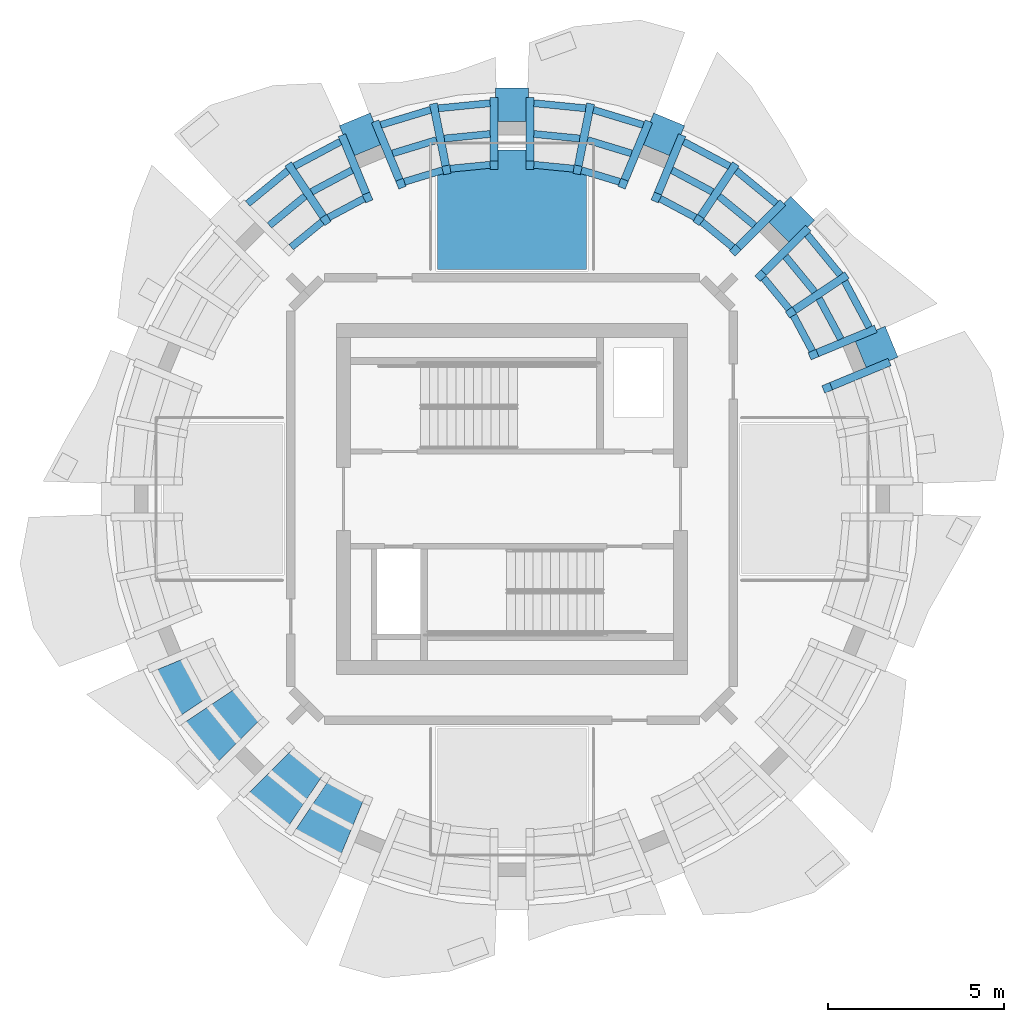
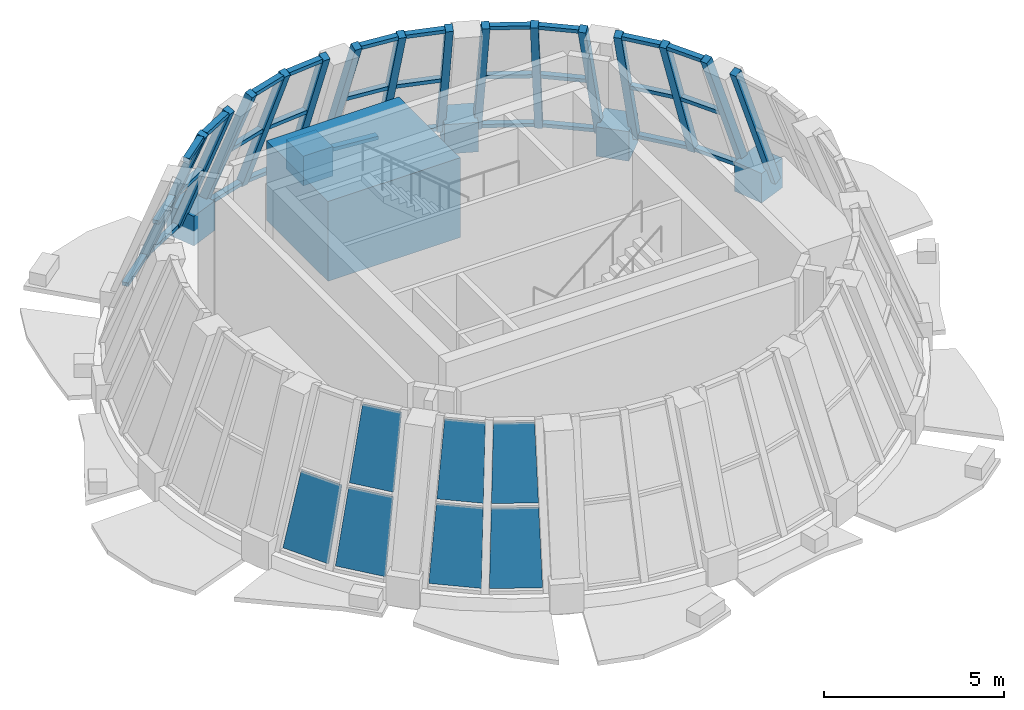
# One storey, part 3 of 9: 51 members, 7 plates, 8 elements without a shape of their own.
"""IFC4 building model written with IfcOpenShell, lengths in metres."""

from ifc_helpers import new_model, si_unit, direction, frame, origin, origin_2d, place, context, subcontext, project, spatial, polyline, rectangle, outline, extrude, material, layer, layer_set, material_profile, profile_set, type_object, element, aggregate, save


model = new_model("IFC4")

# Units and contexts
model_context = context("Model", 3, precision=1e-05, world=origin(), true_north=direction((0.0, 1.0)))
body_context = subcontext(model_context, "Body", "Model", "MODEL_VIEW")
ifc_project = project(units=[si_unit("LENGTHUNIT", "METRE"), si_unit("AREAUNIT", "SQUARE_METRE"), si_unit("VOLUMEUNIT", "CUBIC_METRE"), si_unit("PLANEANGLEUNIT", "RADIAN"), si_unit("MASSUNIT", "GRAM", prefix="KILO")], contexts=[model_context])

# Site, building, storey
site_placement = place(None, origin())
site = spatial("IfcSite", under=ifc_project, at=site_placement, CompositionType="ELEMENT")
building_placement = place(site_placement, origin())
building = spatial("IfcBuilding", under=site, at=building_placement, Name="Polderwave Tower", CompositionType="ELEMENT")
storey_placement = place(building_placement, frame((0.0, 0.0, 239.39990234375)))
storey = spatial("IfcBuildingStorey", under=building, at=storey_placement, Name="L65", CompositionType="ELEMENT", Elevation=239.39990234375)

# Curtain wall, member
ifc_material_1 = material(Name="Aluminium 6063-T6 and glass", Category="aluminium")
curtain_wall_type = type_object("IfcCurtainWallType", Name="Damper floor glazing wall", PredefinedType="NOTDEFINED", material=ifc_material_1)
curtain_wall_1_placement = place(storey_placement, origin())
curtain_wall_1 = element("IfcCurtainWall", 1, at=curtain_wall_1_placement, inside=storey, type_object=curtain_wall_type, Name="CROWN CW7 L65 00", PredefinedType="NOTDEFINED")
ifc_material_2 = material(Name="Aluminium 6063-T6", Category="aluminium")
ifc_material_profile_1 = material_profile(ifc_material_2, rectangle(XDim=0.22509765625, YDim=0.260009765625, at=origin_2d()), Name="AL 225x260")
ifc_profile_set_1 = profile_set([ifc_material_profile_1], Name="Aluminium 6063-T6")
member_type_1 = type_object("IfcMemberType", Name="Damper floor glazing mullion 225x260", PredefinedType="MULLION", material=ifc_profile_set_1)
member_1_placement = place(storey_placement, frame((10.6376953125, 3.852294921875, 0.0), z_axis=(-0.333523000512, -0.138168218944, 0.932562036223), x_axis=(0.382727098568, -0.923861444169, 0.0)))
member_1 = element("IfcMember", 2, at=member_1_placement, type_object=member_type_1, Name="CW7 mullion 3", PredefinedType="MULLION", context=body_context, shape_type="SweptSolid", body=[
    extrude(rectangle(XDim=0.22509765625, YDim=0.260009765625, at=origin_2d()), origin(), (0.0, 0.0, 1.0), 4.986328125),
])
aggregate(curtain_wall_1, [member_1])

# Curtain wall, members
curtain_wall_2_placement = place(storey_placement, origin())
curtain_wall_2 = element("IfcCurtainWall", 3, at=curtain_wall_2_placement, inside=storey, type_object=curtain_wall_type, Name="CROWN CW7 L65 01", PredefinedType="NOTDEFINED")
member_2_placement = place(storey_placement, frame((10.245849609375, 4.798095703125, 0.0), z_axis=(-0.333479484662, -0.138170475072, 0.932577263892), x_axis=(0.382775058439, -0.923841574425, 0.0)))
member_2 = element("IfcMember", 4, at=member_2_placement, type_object=member_type_1, Name="CW7 mullion 1", PredefinedType="MULLION", context=body_context, shape_type="SweptSolid", body=[
    extrude(rectangle(XDim=0.22509765625, YDim=0.260009765625, at=origin_2d()), origin(), (0.0, 0.0, 1.0), 4.986328125),
])
member_3_placement = place(storey_placement, frame((9.43896484375, 6.306884765625, 0.0), z_axis=(-0.300225275248, -0.200541866832, 0.93254905702), x_axis=(0.555451030829, -0.831549248302, 0.0)))
member_3 = element("IfcMember", 5, at=member_3_placement, type_object=member_type_1, Name="CW7 mullion 2", PredefinedType="MULLION", context=body_context, shape_type="SweptSolid", body=[
    extrude(rectangle(XDim=0.22509765625, YDim=0.260009765625, at=origin_2d()), origin(), (0.0, 0.0, 1.0), 4.986572265625),
])
member_4_placement = place(storey_placement, frame((8.353515625, 7.629150390625, 0.0), z_axis=(-0.255337109871, -0.255141261656, 0.932580236185), x_axis=(0.706835443234, -0.707378015058, 0.0)))
member_4 = element("IfcMember", 6, at=member_4_placement, type_object=member_type_1, Name="CW7 mullion 3", PredefinedType="MULLION", context=body_context, shape_type="SweptSolid", body=[
    extrude(rectangle(XDim=0.22509765625, YDim=0.260009765625, at=origin_2d()), origin(), (0.0, 0.0, 1.0), 4.986328125),
])

curtain_wall_3_placement = place(storey_placement, origin())
curtain_wall_3 = element("IfcCurtainWall", 7, at=curtain_wall_3_placement, inside=storey, type_object=curtain_wall_type, Name="CROWN CW7 L65 02", PredefinedType="NOTDEFINED")
member_5_placement = place(storey_placement, frame((7.629150390625, 8.353515625, 0.0), z_axis=(-0.255141261656, -0.255337109871, 0.932580236185), x_axis=(0.707378015058, -0.706835443234, 0.0)))
member_5 = element("IfcMember", 8, at=member_5_placement, type_object=member_type_1, Name="CW7 mullion 1", PredefinedType="MULLION", context=body_context, shape_type="SweptSolid", body=[
    extrude(rectangle(XDim=0.22509765625, YDim=0.260009765625, at=origin_2d()), origin(), (0.0, 0.0, 1.0), 4.986328125),
])
member_6_placement = place(storey_placement, frame((6.306884765625, 9.43896484375, 0.0), z_axis=(-0.200541866832, -0.300225275248, 0.93254905702), x_axis=(0.831549248302, -0.555451030829, 0.0)))
member_6 = element("IfcMember", 9, at=member_6_placement, type_object=member_type_1, Name="CW7 mullion 2", PredefinedType="MULLION", context=body_context, shape_type="SweptSolid", body=[
    extrude(rectangle(XDim=0.22509765625, YDim=0.260009765625, at=origin_2d()), origin(), (0.0, 0.0, 1.0), 4.986572265625),
])
member_7_placement = place(storey_placement, frame((4.798095703125, 10.245849609375, 0.0), z_axis=(-0.138170475072, -0.333479484662, 0.932577263892), x_axis=(0.923841574425, -0.382775058439, 0.0)))
member_7 = element("IfcMember", 10, at=member_7_placement, type_object=member_type_1, Name="CW7 mullion 3", PredefinedType="MULLION", context=body_context, shape_type="SweptSolid", body=[
    extrude(rectangle(XDim=0.22509765625, YDim=0.260009765625, at=origin_2d()), origin(), (0.0, 0.0, 1.0), 4.986328125),
])

curtain_wall_4_placement = place(storey_placement, origin())
curtain_wall_4 = element("IfcCurtainWall", 11, at=curtain_wall_4_placement, inside=storey, type_object=curtain_wall_type, Name="CROWN CW7 L65 03", PredefinedType="NOTDEFINED")
member_8_placement = place(storey_placement, frame((3.852294921875, 10.6376953125, 0.0), z_axis=(-0.138168218944, -0.333523000512, 0.932562036223), x_axis=(0.923861444169, -0.382727098568, 0.0)))
member_8 = element("IfcMember", 12, at=member_8_placement, type_object=member_type_1, Name="CW7 mullion 1", PredefinedType="MULLION", context=body_context, shape_type="SweptSolid", body=[
    extrude(rectangle(XDim=0.22509765625, YDim=0.260009765625, at=origin_2d()), origin(), (0.0, 0.0, 1.0), 4.986328125),
])
member_9_placement = place(storey_placement, frame((2.215087890625, 11.134033203125, 0.0), z_axis=(-0.070408277289, -0.353999892072, 0.932591416914), x_axis=(0.980788821134, -0.195072520718, 0.0)))
member_9 = element("IfcMember", 13, at=member_9_placement, type_object=member_type_1, Name="CW7 mullion 2", PredefinedType="MULLION", context=body_context, shape_type="SweptSolid", body=[
    extrude(rectangle(XDim=0.22509765625, YDim=0.260009765625, at=origin_2d()), origin(), (0.0, 0.0, 1.0), 4.986328125),
])
member_10_placement = place(storey_placement, frame((0.511962890625, 11.302001953125, 0.0), z_axis=(0.0, -0.360992728978, 0.932568629981), x_axis=(1.0, 0.0, 0.0)))
member_10 = element("IfcMember", 14, at=member_10_placement, type_object=member_type_1, Name="CW7 mullion 3", PredefinedType="MULLION", context=body_context, shape_type="SweptSolid", body=[
    extrude(rectangle(XDim=0.22509765625, YDim=0.260009765625, at=origin_2d()), origin(), (0.0, 0.0, 1.0), 4.986328125),
])

curtain_wall_5_placement = place(storey_placement, origin())
curtain_wall_5 = element("IfcCurtainWall", 15, at=curtain_wall_5_placement, inside=storey, type_object=curtain_wall_type, Name="CROWN CW7 L65 04", PredefinedType="NOTDEFINED")
member_11_placement = place(storey_placement, frame((-0.511962890625, 11.302001953125, 0.0), z_axis=(0.0, -0.360992728978, 0.932568629981), x_axis=(1.0, 0.0, 0.0)))
member_11 = element("IfcMember", 16, at=member_11_placement, type_object=member_type_1, Name="CW7 mullion 1", PredefinedType="MULLION", context=body_context, shape_type="SweptSolid", body=[
    extrude(rectangle(XDim=0.22509765625, YDim=0.260009765625, at=origin_2d()), origin(), (0.0, 0.0, 1.0), 4.986328125),
])
member_12_placement = place(storey_placement, frame((-2.215087890625, 11.134033203125, 0.0), z_axis=(0.070408277289, -0.353999892072, 0.932591416914), x_axis=(0.980788821134, 0.195072520718, 0.0)))
member_12 = element("IfcMember", 17, at=member_12_placement, type_object=member_type_1, Name="CW7 mullion 2", PredefinedType="MULLION", context=body_context, shape_type="SweptSolid", body=[
    extrude(rectangle(XDim=0.22509765625, YDim=0.260009765625, at=origin_2d()), origin(), (0.0, 0.0, 1.0), 4.986328125),
])
member_13_placement = place(storey_placement, frame((-3.852294921875, 10.6376953125, 0.0), z_axis=(0.138168218944, -0.333523000512, 0.932562036223), x_axis=(0.923861444169, 0.382727098568, 0.0)))
member_13 = element("IfcMember", 18, at=member_13_placement, type_object=member_type_1, Name="CW7 mullion 3", PredefinedType="MULLION", context=body_context, shape_type="SweptSolid", body=[
    extrude(rectangle(XDim=0.22509765625, YDim=0.260009765625, at=origin_2d()), origin(), (0.0, 0.0, 1.0), 4.986328125),
])

curtain_wall_6_placement = place(storey_placement, origin())
curtain_wall_6 = element("IfcCurtainWall", 19, at=curtain_wall_6_placement, inside=storey, type_object=curtain_wall_type, Name="CROWN CW7 L65 05", PredefinedType="NOTDEFINED")
member_14_placement = place(storey_placement, frame((-4.798095703125, 10.245849609375, 0.0), z_axis=(0.138170475072, -0.333479484662, 0.932577263892), x_axis=(0.923841574425, 0.382775058439, 0.0)))
member_14 = element("IfcMember", 20, at=member_14_placement, type_object=member_type_1, Name="CW7 mullion 1", PredefinedType="MULLION", context=body_context, shape_type="SweptSolid", body=[
    extrude(rectangle(XDim=0.22509765625, YDim=0.260009765625, at=origin_2d()), origin(), (0.0, 0.0, 1.0), 4.986328125),
])
member_15_placement = place(storey_placement, frame((-6.306884765625, 9.43896484375, 0.0), z_axis=(0.200541866832, -0.300225275248, 0.93254905702), x_axis=(0.831549248302, 0.555451030829, 0.0)))
member_15 = element("IfcMember", 21, at=member_15_placement, type_object=member_type_1, Name="CW7 mullion 2", PredefinedType="MULLION", context=body_context, shape_type="SweptSolid", body=[
    extrude(rectangle(XDim=0.22509765625, YDim=0.260009765625, at=origin_2d()), origin(), (0.0, 0.0, 1.0), 4.986572265625),
])

# Member
ifc_material_profile_2 = material_profile(ifc_material_2, rectangle(XDim=0.199951171875, YDim=0.1201171875, at=origin_2d()), Name="AL 120x200")
ifc_profile_set_2 = profile_set([ifc_material_profile_2], Name="Aluminium 6063-T6")
member_type_2 = type_object("IfcMemberType", Name="Damper floor glazing transom 120x200", PredefinedType="USERDEFINED", material=ifc_profile_set_2)
member_16_placement = place(storey_placement, frame((10.17138671875, 4.888427734375, 0.06005859375), z_axis=(-0.471631391482, 0.881795798679, 0.0), x_axis=(-0.881795798679, -0.471631391482, 0.0)))
member_16 = element("IfcMember", 22, at=member_16_placement, type_object=member_type_2, Name="CW7 transom 1", ObjectType="TRANSOM", PredefinedType="USERDEFINED", context=body_context, shape_type="SweptSolid", body=[
    extrude(rectangle(XDim=0.199951171875, YDim=0.1201171875, at=origin_2d()), origin(), (0.0, 0.0, 1.0), 1.4814453125),
])

member_17_placement = place(storey_placement, frame((9.361328125, 4.552978515625, 2.3251953125), z_axis=(-0.471652250337, 0.881784641935, 0.0), x_axis=(-0.881784641935, -0.471652250337, 0.0)))
member_17 = element("IfcMember", 23, at=member_17_placement, type_object=member_type_2, Name="CW7 transom 2", ObjectType="TRANSOM", PredefinedType="USERDEFINED", context=body_context, shape_type="SweptSolid", body=[
    extrude(rectangle(XDim=0.199951171875, YDim=0.1201171875, at=origin_2d()), origin(), (0.0, 0.0, 1.0), 1.3095703125),
])

member_18_placement = place(storey_placement, frame((8.55126953125, 4.21728515625, 4.590087890625), z_axis=(-0.47175698723, 0.881728611876, 0.0), x_axis=(-0.881728611876, -0.47175698723, 0.0)))
member_18 = element("IfcMember", 24, at=member_18_placement, type_object=member_type_2, Name="CW7 transom 3", ObjectType="TRANSOM", PredefinedType="USERDEFINED", context=body_context, shape_type="SweptSolid", body=[
    extrude(rectangle(XDim=0.199951171875, YDim=0.1201171875, at=origin_2d()), origin(), (0.0, 0.0, 1.0), 1.137939453125),
])

member_19_placement = place(storey_placement, frame((9.348388671875, 6.381103515625, 0.06005859375), z_axis=(-0.634655050838, 0.772795552812, 0.0), x_axis=(-0.772795552812, -0.634655050838, 0.0)))
member_19 = element("IfcMember", 25, at=member_19_placement, type_object=member_type_2, Name="CW7 transom 4", ObjectType="TRANSOM", PredefinedType="USERDEFINED", context=body_context, shape_type="SweptSolid", body=[
    extrude(rectangle(XDim=0.199951171875, YDim=0.1201171875, at=origin_2d()), origin(), (0.0, 0.0, 1.0), 1.48095703125),
])

member_20_placement = place(storey_placement, frame((8.619140625, 5.893798828125, 2.3251953125), z_axis=(-0.634445167529, 0.772967870871, 0.0), x_axis=(-0.772967870871, -0.634445167529, 0.0)))
member_20 = element("IfcMember", 26, at=member_20_placement, type_object=member_type_2, Name="CW7 transom 5", ObjectType="TRANSOM", PredefinedType="USERDEFINED", context=body_context, shape_type="SweptSolid", body=[
    extrude(rectangle(XDim=0.199951171875, YDim=0.1201171875, at=origin_2d()), origin(), (0.0, 0.0, 1.0), 1.3095703125),
])

member_21_placement = place(storey_placement, frame((7.889892578125, 5.40673828125, 4.590087890625), z_axis=(-0.634171946025, 0.77319204786, 0.0), x_axis=(-0.77319204786, -0.634171946025, 0.0)))
member_21 = element("IfcMember", 27, at=member_21_placement, type_object=member_type_2, Name="CW7 transom 6", ObjectType="TRANSOM", PredefinedType="USERDEFINED", context=body_context, shape_type="SweptSolid", body=[
    extrude(rectangle(XDim=0.199951171875, YDim=0.1201171875, at=origin_2d()), origin(), (0.0, 0.0, 1.0), 1.137939453125),
])

aggregate(curtain_wall_2, [member_2, member_3, member_4, member_16, member_17, member_18, member_19, member_20, member_21])

member_22_placement = place(storey_placement, frame((7.525634765625, 8.408447265625, 0.06005859375), z_axis=(-0.772795552812, 0.634655050838, 0.0), x_axis=(-0.634655050838, -0.772795552812, 0.0)))
member_22 = element("IfcMember", 28, at=member_22_placement, type_object=member_type_2, Name="CW7 transom 1", ObjectType="TRANSOM", PredefinedType="USERDEFINED", context=body_context, shape_type="SweptSolid", body=[
    extrude(rectangle(XDim=0.199951171875, YDim=0.1201171875, at=origin_2d()), origin(), (0.0, 0.0, 1.0), 1.48095703125),
])

member_23_placement = place(storey_placement, frame((6.906005859375, 7.788330078125, 2.3251953125), z_axis=(-0.772967870871, 0.634445167529, 0.0), x_axis=(-0.634445167529, -0.772967870871, 0.0)))
member_23 = element("IfcMember", 29, at=member_23_placement, type_object=member_type_2, Name="CW7 transom 2", ObjectType="TRANSOM", PredefinedType="USERDEFINED", context=body_context, shape_type="SweptSolid", body=[
    extrude(rectangle(XDim=0.199951171875, YDim=0.1201171875, at=origin_2d()), origin(), (0.0, 0.0, 1.0), 1.3095703125),
])

member_24_placement = place(storey_placement, frame((6.28662109375, 7.168212890625, 4.590087890625), z_axis=(-0.77319204786, 0.634171946025, 0.0), x_axis=(-0.634171946025, -0.77319204786, 0.0)))
member_24 = element("IfcMember", 30, at=member_24_placement, type_object=member_type_2, Name="CW7 transom 3", ObjectType="TRANSOM", PredefinedType="USERDEFINED", context=body_context, shape_type="SweptSolid", body=[
    extrude(rectangle(XDim=0.199951171875, YDim=0.1201171875, at=origin_2d()), origin(), (0.0, 0.0, 1.0), 1.137939453125),
])

member_25_placement = place(storey_placement, frame((6.19482421875, 9.47265625, 0.06005859375), z_axis=(-0.881795798679, 0.471631391482, 0.0), x_axis=(-0.471631391482, -0.881795798679, 0.0)))
member_25 = element("IfcMember", 31, at=member_25_placement, type_object=member_type_2, Name="CW7 transom 4", ObjectType="TRANSOM", PredefinedType="USERDEFINED", context=body_context, shape_type="SweptSolid", body=[
    extrude(rectangle(XDim=0.199951171875, YDim=0.1201171875, at=origin_2d()), origin(), (0.0, 0.0, 1.0), 1.4814453125),
])

member_26_placement = place(storey_placement, frame((5.707763671875, 8.74365234375, 2.3251953125), z_axis=(-0.881784641935, 0.471652250337, 0.0), x_axis=(-0.471652250337, -0.881784641935, 0.0)))
member_26 = element("IfcMember", 32, at=member_26_placement, type_object=member_type_2, Name="CW7 transom 5", ObjectType="TRANSOM", PredefinedType="USERDEFINED", context=body_context, shape_type="SweptSolid", body=[
    extrude(rectangle(XDim=0.199951171875, YDim=0.1201171875, at=origin_2d()), origin(), (0.0, 0.0, 1.0), 1.3095703125),
])

member_27_placement = place(storey_placement, frame((5.220703125, 8.014404296875, 4.590087890625), z_axis=(-0.881728611876, 0.47175698723, 0.0), x_axis=(-0.47175698723, -0.881728611876, 0.0)))
member_27 = element("IfcMember", 33, at=member_27_placement, type_object=member_type_2, Name="CW7 transom 6", ObjectType="TRANSOM", PredefinedType="USERDEFINED", context=body_context, shape_type="SweptSolid", body=[
    extrude(rectangle(XDim=0.199951171875, YDim=0.1201171875, at=origin_2d()), origin(), (0.0, 0.0, 1.0), 1.137939453125),
])

aggregate(curtain_wall_3, [member_5, member_6, member_7, member_22, member_23, member_24, member_25, member_26, member_27])

member_28_placement = place(storey_placement, frame((3.73583984375, 10.648681640625, 0.06005859375), z_axis=(-0.956964786356, 0.290204062127, 0.0), x_axis=(-0.290204062127, -0.956964786356, 0.0)))
member_28 = element("IfcMember", 34, at=member_28_placement, type_object=member_type_2, Name="CW7 transom 1", ObjectType="TRANSOM", PredefinedType="USERDEFINED", context=body_context, shape_type="SweptSolid", body=[
    extrude(rectangle(XDim=0.199951171875, YDim=0.1201171875, at=origin_2d()), origin(), (0.0, 0.0, 1.0), 1.4814453125),
])

member_29_placement = place(storey_placement, frame((3.400146484375, 9.8388671875, 2.3251953125), z_axis=(-0.956928690047, 0.290323065161, 0.0), x_axis=(-0.290323065161, -0.956928690047, 0.0)))
member_29 = element("IfcMember", 35, at=member_29_placement, type_object=member_type_2, Name="CW7 transom 2", ObjectType="TRANSOM", PredefinedType="USERDEFINED", context=body_context, shape_type="SweptSolid", body=[
    extrude(rectangle(XDim=0.199951171875, YDim=0.1201171875, at=origin_2d()), origin(), (0.0, 0.0, 1.0), 1.309326171875),
])

member_30_placement = place(storey_placement, frame((3.064697265625, 9.02880859375, 4.590087890625), z_axis=(-0.956899751847, 0.290418430742, 0.0), x_axis=(-0.290418430742, -0.956899751847, 0.0)))
member_30 = element("IfcMember", 36, at=member_30_placement, type_object=member_type_2, Name="CW7 transom 3", ObjectType="TRANSOM", PredefinedType="USERDEFINED", context=body_context, shape_type="SweptSolid", body=[
    extrude(rectangle(XDim=0.199951171875, YDim=0.1201171875, at=origin_2d()), origin(), (0.0, 0.0, 1.0), 1.137451171875),
])

member_31_placement = place(storey_placement, frame((2.098388671875, 11.122314453125, 0.06005859375), z_axis=(-0.995182927659, 0.098035404298, 0.0), x_axis=(-0.098035404298, -0.995182927659, 0.0)))
member_31 = element("IfcMember", 37, at=member_31_placement, type_object=member_type_2, Name="CW7 transom 4", ObjectType="TRANSOM", PredefinedType="USERDEFINED", context=body_context, shape_type="SweptSolid", body=[
    extrude(rectangle(XDim=0.199951171875, YDim=0.1201171875, at=origin_2d()), origin(), (0.0, 0.0, 1.0), 1.481689453125),
])

member_32_placement = place(storey_placement, frame((1.927490234375, 10.262451171875, 2.3251953125), z_axis=(-0.995183710307, 0.098027459105, 0.0), x_axis=(-0.098027459105, -0.995183710307, 0.0)))
member_32 = element("IfcMember", 38, at=member_32_placement, type_object=member_type_2, Name="CW7 transom 5", ObjectType="TRANSOM", PredefinedType="USERDEFINED", context=body_context, shape_type="SweptSolid", body=[
    extrude(rectangle(XDim=0.199951171875, YDim=0.1201171875, at=origin_2d()), origin(), (0.0, 0.0, 1.0), 1.31005859375),
])

member_33_placement = place(storey_placement, frame((1.756591796875, 9.40283203125, 4.590087890625), z_axis=(-0.995205628204, 0.097804691048, 0.0), x_axis=(-0.097804691048, -0.995205628204, 0.0)))
member_33 = element("IfcMember", 39, at=member_33_placement, type_object=member_type_2, Name="CW7 transom 6", ObjectType="TRANSOM", PredefinedType="USERDEFINED", context=body_context, shape_type="SweptSolid", body=[
    extrude(rectangle(XDim=0.199951171875, YDim=0.1201171875, at=origin_2d()), origin(), (0.0, 0.0, 1.0), 1.13818359375),
])

aggregate(curtain_wall_4, [member_8, member_9, member_10, member_28, member_29, member_30, member_31, member_32, member_33])

member_34_placement = place(storey_placement, frame((-0.623779296875, 11.267578125, 0.06005859375), z_axis=(-0.995182927659, -0.098035404298, 0.0), x_axis=(0.098035404298, -0.995182927659, 0.0)))
member_34 = element("IfcMember", 40, at=member_34_placement, type_object=member_type_2, Name="CW7 transom 1", ObjectType="TRANSOM", PredefinedType="USERDEFINED", context=body_context, shape_type="SweptSolid", body=[
    extrude(rectangle(XDim=0.199951171875, YDim=0.1201171875, at=origin_2d()), origin(), (0.0, 0.0, 1.0), 1.481689453125),
])

member_35_placement = place(storey_placement, frame((-0.623779296875, 10.390869140625, 2.3251953125), z_axis=(-0.995183710307, -0.098027459105, 0.0), x_axis=(0.098027459105, -0.995183710307, 0.0)))
member_35 = element("IfcMember", 41, at=member_35_placement, type_object=member_type_2, Name="CW7 transom 2", ObjectType="TRANSOM", PredefinedType="USERDEFINED", context=body_context, shape_type="SweptSolid", body=[
    extrude(rectangle(XDim=0.199951171875, YDim=0.1201171875, at=origin_2d()), origin(), (0.0, 0.0, 1.0), 1.31005859375),
])

member_36_placement = place(storey_placement, frame((-0.623779296875, 9.51416015625, 4.590087890625), z_axis=(-0.995205628204, -0.097804691048, 0.0), x_axis=(0.097804691048, -0.995205628204, 0.0)))
member_36 = element("IfcMember", 42, at=member_36_placement, type_object=member_type_2, Name="CW7 transom 3", ObjectType="TRANSOM", PredefinedType="USERDEFINED", context=body_context, shape_type="SweptSolid", body=[
    extrude(rectangle(XDim=0.199951171875, YDim=0.1201171875, at=origin_2d()), origin(), (0.0, 0.0, 1.0), 1.13818359375),
])

member_37_placement = place(storey_placement, frame((-2.318115234375, 11.07861328125, 0.06005859375), z_axis=(-0.956964786356, -0.290204062127, 0.0), x_axis=(0.290204062127, -0.956964786356, 0.0)))
member_37 = element("IfcMember", 43, at=member_37_placement, type_object=member_type_2, Name="CW7 transom 4", ObjectType="TRANSOM", PredefinedType="USERDEFINED", context=body_context, shape_type="SweptSolid", body=[
    extrude(rectangle(XDim=0.199951171875, YDim=0.1201171875, at=origin_2d()), origin(), (0.0, 0.0, 1.0), 1.4814453125),
])

member_38_placement = place(storey_placement, frame((-2.147216796875, 10.218994140625, 2.3251953125), z_axis=(-0.956928690047, -0.290323065161, 0.0), x_axis=(0.290323065161, -0.956928690047, 0.0)))
member_38 = element("IfcMember", 44, at=member_38_placement, type_object=member_type_2, Name="CW7 transom 5", ObjectType="TRANSOM", PredefinedType="USERDEFINED", context=body_context, shape_type="SweptSolid", body=[
    extrude(rectangle(XDim=0.199951171875, YDim=0.1201171875, at=origin_2d()), origin(), (0.0, 0.0, 1.0), 1.309326171875),
])

member_39_placement = place(storey_placement, frame((-1.976318359375, 9.359130859375, 4.590087890625), z_axis=(-0.956899751847, -0.290418430742, 0.0), x_axis=(0.290418430742, -0.956899751847, 0.0)))
member_39 = element("IfcMember", 45, at=member_39_placement, type_object=member_type_2, Name="CW7 transom 6", ObjectType="TRANSOM", PredefinedType="USERDEFINED", context=body_context, shape_type="SweptSolid", body=[
    extrude(rectangle(XDim=0.199951171875, YDim=0.1201171875, at=origin_2d()), origin(), (0.0, 0.0, 1.0), 1.137451171875),
])

aggregate(curtain_wall_5, [member_11, member_12, member_13, member_34, member_35, member_36, member_37, member_38, member_39])

member_40_placement = place(storey_placement, frame((-4.888427734375, 10.17138671875, 0.06005859375), z_axis=(-0.881795798679, -0.471631391482, 0.0), x_axis=(0.471631391482, -0.881795798679, 0.0)))
member_40 = element("IfcMember", 46, at=member_40_placement, type_object=member_type_2, Name="CW7 transom 1", ObjectType="TRANSOM", PredefinedType="USERDEFINED", context=body_context, shape_type="SweptSolid", body=[
    extrude(rectangle(XDim=0.199951171875, YDim=0.1201171875, at=origin_2d()), origin(), (0.0, 0.0, 1.0), 1.4814453125),
])

member_41_placement = place(storey_placement, frame((-4.552978515625, 9.361328125, 2.3251953125), z_axis=(-0.881784641935, -0.471652250337, 0.0), x_axis=(0.471652250337, -0.881784641935, 0.0)))
member_41 = element("IfcMember", 47, at=member_41_placement, type_object=member_type_2, Name="CW7 transom 2", ObjectType="TRANSOM", PredefinedType="USERDEFINED", context=body_context, shape_type="SweptSolid", body=[
    extrude(rectangle(XDim=0.199951171875, YDim=0.1201171875, at=origin_2d()), origin(), (0.0, 0.0, 1.0), 1.3095703125),
])

member_42_placement = place(storey_placement, frame((-4.21728515625, 8.55126953125, 4.590087890625), z_axis=(-0.881728611876, -0.47175698723, 0.0), x_axis=(0.47175698723, -0.881728611876, 0.0)))
member_42 = element("IfcMember", 48, at=member_42_placement, type_object=member_type_2, Name="CW7 transom 3", ObjectType="TRANSOM", PredefinedType="USERDEFINED", context=body_context, shape_type="SweptSolid", body=[
    extrude(rectangle(XDim=0.199951171875, YDim=0.1201171875, at=origin_2d()), origin(), (0.0, 0.0, 1.0), 1.137939453125),
])

member_43_placement = place(storey_placement, frame((-6.381103515625, 9.348388671875, 0.06005859375), z_axis=(-0.772795552812, -0.634655050838, 0.0), x_axis=(0.634655050838, -0.772795552812, 0.0)))
member_43 = element("IfcMember", 49, at=member_43_placement, type_object=member_type_2, Name="CW7 transom 4", ObjectType="TRANSOM", PredefinedType="USERDEFINED", context=body_context, shape_type="SweptSolid", body=[
    extrude(rectangle(XDim=0.199951171875, YDim=0.1201171875, at=origin_2d()), origin(), (0.0, 0.0, 1.0), 1.48095703125),
])

member_44_placement = place(storey_placement, frame((-5.893798828125, 8.619140625, 2.3251953125), z_axis=(-0.772967870871, -0.634445167529, 0.0), x_axis=(0.634445167529, -0.772967870871, 0.0)))
member_44 = element("IfcMember", 50, at=member_44_placement, type_object=member_type_2, Name="CW7 transom 5", ObjectType="TRANSOM", PredefinedType="USERDEFINED", context=body_context, shape_type="SweptSolid", body=[
    extrude(rectangle(XDim=0.199951171875, YDim=0.1201171875, at=origin_2d()), origin(), (0.0, 0.0, 1.0), 1.3095703125),
])

member_45_placement = place(storey_placement, frame((-5.40673828125, 7.889892578125, 4.590087890625), z_axis=(-0.77319204786, -0.634171946025, 0.0), x_axis=(0.634171946025, -0.77319204786, 0.0)))
member_45 = element("IfcMember", 51, at=member_45_placement, type_object=member_type_2, Name="CW7 transom 6", ObjectType="TRANSOM", PredefinedType="USERDEFINED", context=body_context, shape_type="SweptSolid", body=[
    extrude(rectangle(XDim=0.199951171875, YDim=0.1201171875, at=origin_2d()), origin(), (0.0, 0.0, 1.0), 1.137939453125),
])

aggregate(curtain_wall_6, [member_14, member_15, member_40, member_41, member_42, member_43, member_44, member_45])

# Members
ifc_material_3 = material(Name="Steel S355", Category="steel")
ifc_material_profile_3 = material_profile(ifc_material_3, rectangle(XDim=3.39990234375, YDim=4.2353515625, at=origin_2d()), Name="Steel block 3400x4235")
ifc_profile_set_3 = profile_set([ifc_material_profile_3], Name="Steel S355")
member_type_3 = type_object("IfcMemberType", Name="Damper mass block 3400 x 4235", PredefinedType="MEMBER", material=ifc_profile_set_3)
member_46_placement = place(storey_placement, frame((0.0, 8.235107421875, -0.599853515625), z_axis=(0.0, 0.0, 1.0), x_axis=(0.0, 1.0, 0.0)))
element("IfcMember", 52, at=member_46_placement, inside=storey, type_object=member_type_3, Name="Tuned mass damper block 2", PredefinedType="MEMBER", context=body_context, shape_type="SweptSolid", body=[
    extrude(rectangle(XDim=3.39990234375, YDim=4.2353515625, at=origin_2d()), origin(), (0.0, 0.0, 1.0), 2.699951171875),
])
ifc_material_4 = material(Name="Concrete C60/75", Category="concrete")
ifc_material_profile_4 = material_profile(ifc_material_4, rectangle(XDim=0.949951171875, YDim=0.949951171875, at=origin_2d()), Name="RC 950x950")
ifc_profile_set_4 = profile_set([ifc_material_profile_4], Name="Concrete C60/75")
member_type_4 = type_object("IfcMemberType", Name="RC NODE 950x950 C60/75", PredefinedType="POST", material=ifc_profile_set_4)
for number, where, z_axis, x_axis, name in (
    (53, (10.3681640625, 4.294677734375, -0.5), (0.0, 0.0, 1.0), (0.923879532511, 0.382683432365, 0.0), "Ring column node 02"),
    (54, (7.935546875, 7.935546875, -0.5), (0.0, 0.0, 1.0), (0.707106781187, 0.707106781187, 0.0), "Ring column node 03"),
    (55, (4.294677734375, 10.3681640625, -0.5), (0.0, 0.0, 1.0), (0.382683432365, 0.923879532511, 0.0), "Ring column node 04"),
    (56, (0.0, 11.222412109375, -0.5), (0.0, 0.0, 1.0), (0.0, 1.0, 0.0), "Ring column node 05"),
    (57, (-4.294677734375, 10.3681640625, -0.5), (0.0, 0.0, 1.0), (-0.382683432365, 0.923879532511, 0.0), "Ring column node 06"),
):
    element("IfcMember", number, at=place(storey_placement, frame(where, z_axis=z_axis, x_axis=x_axis)), inside=storey, type_object=member_type_4, Name=name, PredefinedType="POST", context=body_context, shape_type="SweptSolid", body=[
        extrude(rectangle(XDim=0.949951171875, YDim=0.949951171875, at=origin_2d()), origin(), (0.0, 0.0, 1.0), 1.0),
    ])

# Curtain wall, plates
curtain_wall_7_placement = place(storey_placement, origin())
curtain_wall_7 = element("IfcCurtainWall", 58, at=curtain_wall_7_placement, inside=storey, type_object=curtain_wall_type, Name="CROWN CW7 L65 09", PredefinedType="NOTDEFINED")
ifc_material_5 = material(Name="Glass, low-e laminated double glazing", Category="glass")
ifc_layer = layer(ifc_material_5, 0.052001953125)
ifc_layer_set = layer_set([ifc_layer], Name="Damper floor glazing glass panel 52 mm")
plate_type = type_object("IfcPlateType", Name="Damper floor glazing glass panel 52 mm", PredefinedType="CURTAIN_PANEL", material=ifc_layer_set)
plate_1_placement = place(storey_placement, frame((-10.14990234375, -4.879638671875, 0.1201171875), z_axis=(-0.822845232228, -0.440113232038, 0.359480273152), x_axis=(0.471641450422, -0.881790418548, 8.0036e-07)))
plate_1 = element("IfcPlate", 59, at=plate_1_placement, type_object=plate_type, Name="CROWN CW7 panel 1", PredefinedType="CURTAIN_PANEL", context=body_context, shape_type="SweptSolid", body=[
    extrude(outline(polyline([(0.0, 0.0), (1.4768220582493665, 2.7755575615628914e-17), (1.3957934823509304, 2.2986789289398257), (0.08149739849615097, 2.298681322867034), (0.0, 0.0)])), origin(), (0.0, 0.0, -1.0), 0.052001953125),
])
plate_2_placement = place(storey_placement, frame((-9.3291015625, -6.3681640625, 0.1201171875), z_axis=(-0.721136435315, -0.592198690667, 0.359531573625), x_axis=(0.634643828184, -0.772804768647, 3.0083081e-05)))
plate_2 = element("IfcPlate", 60, at=plate_2_placement, type_object=plate_type, Name="CROWN CW7 panel 3", PredefinedType="CURTAIN_PANEL", context=body_context, shape_type="SweptSolid", body=[
    extrude(outline(polyline([(0.0, 0.0), (1.4766814318976338, -5.551115123125783e-17), (1.395812296845252, 2.2984221797174396), (0.08180436697824885, 2.2987737836028157), (0.0, 0.0)])), origin(), (0.0, 0.0, -1.0), 0.052001953125),
])
plate_3_placement = place(storey_placement, frame((-8.599853515625, -5.881103515625, 2.385009765625), z_axis=(-0.721178730793, -0.592154112118, 0.359520160427), x_axis=(0.634585101236, -0.772852993316, 3.337324e-06)))
plate_3 = element("IfcPlate", 61, at=plate_3_placement, type_object=plate_type, Name="CROWN CW7 panel 4", PredefinedType="CURTAIN_PANEL", context=body_context, shape_type="SweptSolid", body=[
    extrude(outline(polyline([(0.0, 0.0), (1.3049727487262361, -5.551115123125783e-17), (1.2241383931048986, 2.298713602528979), (0.08187286834858114, 2.2987223549685183), (0.0, 0.0)])), origin(), (0.0, 0.0, -1.0), 0.052001953125),
])
aggregate(curtain_wall_7, [plate_1, plate_2, plate_3])

curtain_wall_8_placement = place(storey_placement, origin())
curtain_wall_8 = element("IfcCurtainWall", 62, at=curtain_wall_8_placement, inside=storey, type_object=curtain_wall_type, Name="CROWN CW7 L65 10", PredefinedType="NOTDEFINED")
plate_4_placement = place(storey_placement, frame((-7.50927734375, -8.391845703125, 0.1201171875), z_axis=(-0.592250581397, -0.721149777541, 0.359419319442), x_axis=(0.772786038168, -0.634666636009, -1.8705088e-05)))
plate_4 = element("IfcPlate", 63, at=plate_4_placement, type_object=plate_type, Name="CROWN CW7 panel 1", PredefinedType="CURTAIN_PANEL", context=body_context, shape_type="SweptSolid", body=[
    extrude(outline(polyline([(0.0, 0.0), (1.476681435067142, 5.551115123125783e-17), (1.3948433580559545, 2.298650249977155), (0.08068048027642817, 2.2985943087831253), (0.0, 0.0)])), origin(), (0.0, 0.0, -1.0), 0.052001953125),
])
plate_5_placement = place(storey_placement, frame((-6.8896484375, -7.771728515625, 2.385009765625), z_axis=(-0.592165164137, -0.721228783242, 0.359401531166), x_axis=(0.772866744667, -0.634568353175, -1.1682011e-05)))
plate_5 = element("IfcPlate", 64, at=plate_5_placement, type_object=plate_type, Name="CROWN CW7 panel 2", PredefinedType="CURTAIN_PANEL", context=body_context, shape_type="SweptSolid", body=[
    extrude(outline(polyline([(0.0, 0.0), (1.3049727480930988, 0.0), (1.2232548106087755, 2.2988823497064033), (0.08080060056106697, 2.2985900903213565), (0.0, 0.0)])), origin(), (0.0, 0.0, -1.0), 0.052001953125),
])
plate_6_placement = place(storey_placement, frame((-6.181884765625, -9.453369140625, 0.1201171875), z_axis=(-0.440113232038, -0.822845232228, 0.359480273152), x_axis=(0.881790418548, -0.471641450422, -8.0036e-07)))
plate_6 = element("IfcPlate", 65, at=plate_6_placement, type_object=plate_type, Name="CROWN CW7 panel 3", PredefinedType="CURTAIN_PANEL", context=body_context, shape_type="SweptSolid", body=[
    extrude(outline(polyline([(0.0, 0.0), (1.4768220582493665, -2.7755575615628914e-17), (1.3953246597532154, 2.298681322867034), (0.08102857589843614, 2.2986789289398257), (0.0, 0.0)])), origin(), (0.0, 0.0, -1.0), 0.052001953125),
])
plate_7_placement = place(storey_placement, frame((-5.69482421875, -8.72412109375, 2.385009765625), z_axis=(-0.440202658197, -0.822797399814, 0.359480261734), x_axis=(0.881739548785, -0.471736545231, 1.364189e-06)))
plate_7 = element("IfcPlate", 66, at=plate_7_placement, type_object=plate_type, Name="CROWN CW7 panel 4", PredefinedType="CURTAIN_PANEL", context=body_context, shape_type="SweptSolid", body=[
    extrude(outline(polyline([(0.0, 0.0), (1.305234326182934, 5.551115123125783e-17), (1.2236524543978688, 2.2986783263957795), (0.08094410241887955, 2.298681905078202), (0.0, 0.0)])), origin(), (0.0, 0.0, -1.0), 0.052001953125),
])
aggregate(curtain_wall_8, [plate_4, plate_5, plate_6, plate_7])

save(model, "model.ifc")
